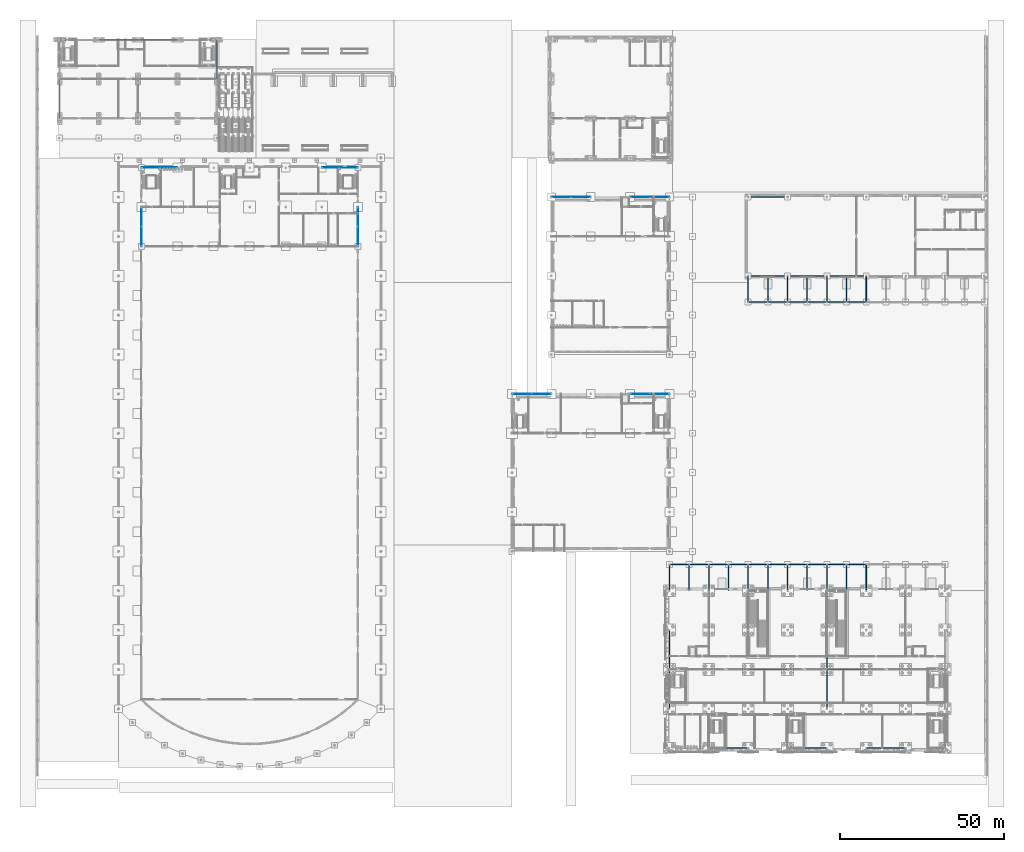
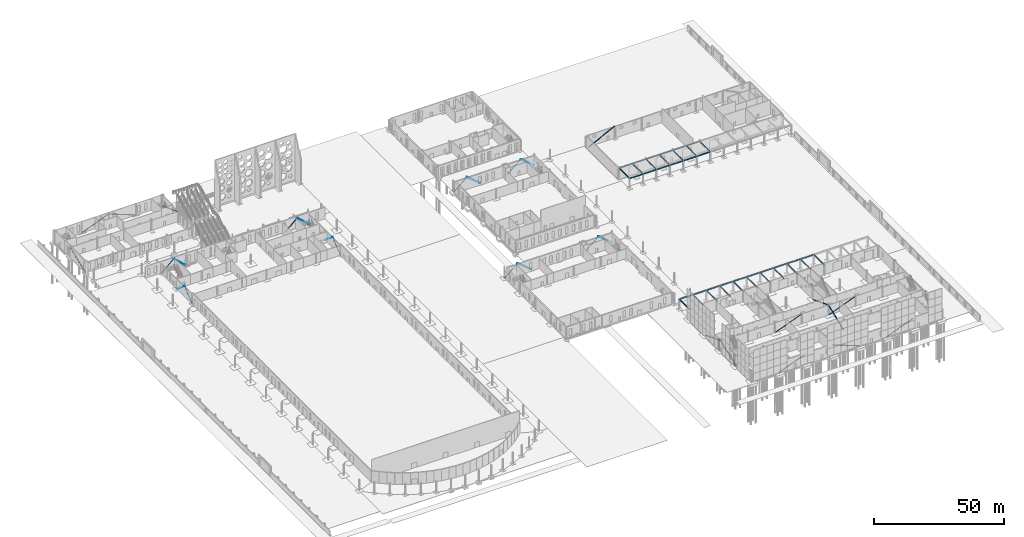
# One storey, part 53 of 132: 37 beams, 30 members.
"""IFC4 building model written with IfcOpenShell, lengths in metres."""

from ifc_helpers import new_model, si_unit, direction, frame, origin, origin_2d, place, context, subcontext, project, spatial, hollow_rectangle, i_section, extrude, material, material_profile, profile_set, type_object, element, save


model = new_model("IFC4")

# Units and contexts
model_context = context("Model", 3, precision=1e-05, world=origin(), true_north=direction((0.0, 1.0)))
body_context = subcontext(model_context, "Body", "Model", "MODEL_VIEW")
ifc_project = project(units=[si_unit("LENGTHUNIT", "METRE"), si_unit("AREAUNIT", "SQUARE_METRE"), si_unit("VOLUMEUNIT", "CUBIC_METRE"), si_unit("PLANEANGLEUNIT", "RADIAN"), si_unit("MASSUNIT", "GRAM", prefix="KILO")], contexts=[model_context])

# Site, building, storey
site_placement = place(None, origin())
site = spatial("IfcSite", under=ifc_project, at=site_placement, CompositionType="ELEMENT")
building_placement = place(site_placement, origin())
building = spatial("IfcBuilding", under=site, at=building_placement, Name="Ravi Spectrum Wholesale Market", CompositionType="ELEMENT")
storey_placement = place(building_placement, origin())
storey = spatial("IfcBuildingStorey", under=building, at=storey_placement, Name="L00", CompositionType="ELEMENT", Elevation=0.0)

# Beams
ifc_material_1 = material(Name="Steel S355", Category="steel")
ifc_material_profile_1 = material_profile(ifc_material_1, i_section(OverallWidth=0.169921875, OverallDepth=0.360107421875, WebThickness=0.008056640625, FlangeThickness=0.0126953125, at=origin_2d()))
ifc_profile_set_1 = profile_set([ifc_material_profile_1], Name="Steel S355")
beam_type = type_object("IfcBeamType", Name="IPE 360 beam", PredefinedType="BEAM", material=ifc_profile_set_1)
beam_1_placement = place(storey_placement, frame((198.0, 66.169921875, 4.800048828125), z_axis=(0.0, 1.0, 0.0), x_axis=(-1.0, 0.0, 0.0)))
element("IfcBeam", 1, at=beam_1_placement, inside=storey, type_object=beam_type, Name="CS-BM-L00-001", PredefinedType="BEAM", context=body_context, shape_type="SweptSolid", body=[
    extrude(i_section(OverallWidth=0.169921875, OverallDepth=0.360107421875, WebThickness=0.008056640625, FlangeThickness=0.0126953125, at=origin_2d()), origin(), (0.0, 0.0, 1.0), 7.65234375),
])
beam_2_placement = place(storey_placement, frame((204.0, 66.10009765625, 4.800048828125), z_axis=(0.0, 1.0, 0.0), x_axis=(-1.0, 0.0, 0.0)))
element("IfcBeam", 2, at=beam_2_placement, inside=storey, type_object=beam_type, Name="CS-BM-L00-002", PredefinedType="BEAM", context=body_context, shape_type="SweptSolid", body=[
    extrude(i_section(OverallWidth=0.169921875, OverallDepth=0.360107421875, WebThickness=0.008056640625, FlangeThickness=0.0126953125, at=origin_2d()), origin(), (0.0, 0.0, 1.0), 7.72216796875),
])
beam_3_placement = place(storey_placement, frame((210.0, 66.169921875, 4.800048828125), z_axis=(0.0, 1.0, 0.0), x_axis=(-1.0, 0.0, 0.0)))
element("IfcBeam", 3, at=beam_3_placement, inside=storey, type_object=beam_type, Name="CS-BM-L00-003", PredefinedType="BEAM", context=body_context, shape_type="SweptSolid", body=[
    extrude(i_section(OverallWidth=0.169921875, OverallDepth=0.360107421875, WebThickness=0.008056640625, FlangeThickness=0.0126953125, at=origin_2d()), origin(), (0.0, 0.0, 1.0), 7.65234375),
])
beam_4_placement = place(storey_placement, frame((216.0, 66.10009765625, 4.800048828125), z_axis=(0.0, 1.0, 0.0), x_axis=(-1.0, 0.0, 0.0)))
element("IfcBeam", 4, at=beam_4_placement, inside=storey, type_object=beam_type, Name="CS-BM-L00-004", PredefinedType="BEAM", context=body_context, shape_type="SweptSolid", body=[
    extrude(i_section(OverallWidth=0.169921875, OverallDepth=0.360107421875, WebThickness=0.008056640625, FlangeThickness=0.0126953125, at=origin_2d()), origin(), (0.0, 0.0, 1.0), 7.72216796875),
])
beam_5_placement = place(storey_placement, frame((222.0, 66.169921875, 4.800048828125), z_axis=(0.0, 1.0, 0.0), x_axis=(-1.0, 0.0, 0.0)))
element("IfcBeam", 5, at=beam_5_placement, inside=storey, type_object=beam_type, Name="CS-BM-L00-005", PredefinedType="BEAM", context=body_context, shape_type="SweptSolid", body=[
    extrude(i_section(OverallWidth=0.169921875, OverallDepth=0.360107421875, WebThickness=0.008056640625, FlangeThickness=0.0126953125, at=origin_2d()), origin(), (0.0, 0.0, 1.0), 7.65234375),
])
beam_6_placement = place(storey_placement, frame((228.0, 66.10009765625, 4.800048828125), z_axis=(0.0, 1.0, 0.0), x_axis=(-1.0, 0.0, 0.0)))
element("IfcBeam", 6, at=beam_6_placement, inside=storey, type_object=beam_type, Name="CS-BM-L00-006", PredefinedType="BEAM", context=body_context, shape_type="SweptSolid", body=[
    extrude(i_section(OverallWidth=0.169921875, OverallDepth=0.360107421875, WebThickness=0.008056640625, FlangeThickness=0.0126953125, at=origin_2d()), origin(), (0.0, 0.0, 1.0), 7.72216796875),
])
beam_7_placement = place(storey_placement, frame((234.0, 66.169921875, 4.800048828125), z_axis=(0.0, 1.0, 0.0), x_axis=(-1.0, 0.0, 0.0)))
element("IfcBeam", 7, at=beam_7_placement, inside=storey, type_object=beam_type, Name="CS-BM-L00-007", PredefinedType="BEAM", context=body_context, shape_type="SweptSolid", body=[
    extrude(i_section(OverallWidth=0.169921875, OverallDepth=0.360107421875, WebThickness=0.008056640625, FlangeThickness=0.0126953125, at=origin_2d()), origin(), (0.0, 0.0, 1.0), 7.65234375),
])
beam_8_placement = place(storey_placement, frame((240.0, 66.10009765625, 4.800048828125), z_axis=(0.0, 1.0, 0.0), x_axis=(-1.0, 0.0, 0.0)))
element("IfcBeam", 8, at=beam_8_placement, inside=storey, type_object=beam_type, Name="CS-BM-L00-008", PredefinedType="BEAM", context=body_context, shape_type="SweptSolid", body=[
    extrude(i_section(OverallWidth=0.169921875, OverallDepth=0.360107421875, WebThickness=0.008056640625, FlangeThickness=0.0126953125, at=origin_2d()), origin(), (0.0, 0.0, 1.0), 7.72216796875),
])
beam_9_placement = place(storey_placement, frame((246.0, 66.169921875, 4.800048828125), z_axis=(0.0, 1.0, 0.0), x_axis=(-1.0, 0.0, 0.0)))
element("IfcBeam", 9, at=beam_9_placement, inside=storey, type_object=beam_type, Name="CS-BM-L00-009", PredefinedType="BEAM", context=body_context, shape_type="SweptSolid", body=[
    extrude(i_section(OverallWidth=0.169921875, OverallDepth=0.360107421875, WebThickness=0.008056640625, FlangeThickness=0.0126953125, at=origin_2d()), origin(), (0.0, 0.0, 1.0), 7.65234375),
])
beam_10_placement = place(storey_placement, frame((252.0, 66.10009765625, 4.800048828125), z_axis=(0.0, 1.0, 0.0), x_axis=(-1.0, 0.0, 0.0)))
element("IfcBeam", 10, at=beam_10_placement, inside=storey, type_object=beam_type, Name="CS-BM-L00-010", PredefinedType="BEAM", context=body_context, shape_type="SweptSolid", body=[
    extrude(i_section(OverallWidth=0.169921875, OverallDepth=0.360107421875, WebThickness=0.008056640625, FlangeThickness=0.0126953125, at=origin_2d()), origin(), (0.0, 0.0, 1.0), 7.72216796875),
])
beam_11_placement = place(storey_placement, frame((258.0, 66.169921875, 4.800048828125), z_axis=(0.0, 1.0, 0.0), x_axis=(-1.0, 0.0, 0.0)))
element("IfcBeam", 11, at=beam_11_placement, inside=storey, type_object=beam_type, Name="CS-BM-L00-011", PredefinedType="BEAM", context=body_context, shape_type="SweptSolid", body=[
    extrude(i_section(OverallWidth=0.169921875, OverallDepth=0.360107421875, WebThickness=0.008056640625, FlangeThickness=0.0126953125, at=origin_2d()), origin(), (0.0, 0.0, 1.0), 7.65234375),
])
for number, where, z_axis, x_axis, name in (
    (12, (198.177734375, 74.0, 4.800048828125), (1.0, 0.0, 0.0), (0.0, 1.0, 0.0), "CS-BM-L00-016"),
    (13, (204.177734375, 74.0, 4.800048828125), (1.0, 0.0, 0.0), (0.0, 1.0, 0.0), "CS-BM-L00-017"),
    (14, (210.177734375, 74.0, 4.800048828125), (1.0, 0.0, 0.0), (0.0, 1.0, 0.0), "CS-BM-L00-018"),
    (15, (216.177734375, 74.0, 4.800048828125), (1.0, 0.0, 0.0), (0.0, 1.0, 0.0), "CS-BM-L00-019"),
    (16, (222.177734375, 74.0, 4.800048828125), (1.0, 0.0, 0.0), (0.0, 1.0, 0.0), "CS-BM-L00-020"),
    (17, (228.177734375, 74.0, 4.800048828125), (1.0, 0.0, 0.0), (0.0, 1.0, 0.0), "CS-BM-L00-021"),
    (18, (234.177734375, 74.0, 4.800048828125), (1.0, 0.0, 0.0), (0.0, 1.0, 0.0), "CS-BM-L00-022"),
    (19, (240.177734375, 74.0, 4.800048828125), (1.0, 0.0, 0.0), (0.0, 1.0, 0.0), "CS-BM-L00-023"),
    (20, (246.177734375, 74.0, 4.800048828125), (1.0, 0.0, 0.0), (0.0, 1.0, 0.0), "CS-BM-L00-024"),
    (21, (252.177734375, 74.0, 4.800048828125), (1.0, 0.0, 0.0), (0.0, 1.0, 0.0), "CS-BM-L00-025"),
):
    element("IfcBeam", number, at=place(storey_placement, frame(where, z_axis=z_axis, x_axis=x_axis)), inside=storey, type_object=beam_type, Name=name, PredefinedType="BEAM", context=body_context, shape_type="SweptSolid", body=[
        extrude(i_section(OverallWidth=0.169921875, OverallDepth=0.360107421875, WebThickness=0.008056640625, FlangeThickness=0.0126953125, at=origin_2d()), origin(), (0.0, 0.0, 1.0), 5.64453125),
    ])
for number, where, z_axis, x_axis, name in (
    (22, (222.14990234375, 162.0, 4.800048828125), (1.0, 0.0, 0.0), (0.0, 1.0, 0.0), "GS-BM-L00-001"),
    (23, (234.14990234375, 162.0, 4.800048828125), (1.0, 0.0, 0.0), (0.0, 1.0, 0.0), "GS-BM-L00-002"),
    (24, (246.14990234375, 162.0, 4.800048828125), (1.0, 0.0, 0.0), (0.0, 1.0, 0.0), "GS-BM-L00-003"),
):
    element("IfcBeam", number, at=place(storey_placement, frame(where, z_axis=z_axis, x_axis=x_axis)), inside=storey, type_object=beam_type, Name=name, PredefinedType="BEAM", context=body_context, shape_type="SweptSolid", body=[
        extrude(i_section(OverallWidth=0.169921875, OverallDepth=0.360107421875, WebThickness=0.008056640625, FlangeThickness=0.0126953125, at=origin_2d()), origin(), (0.0, 0.0, 1.0), 11.7001953125),
    ])
beam_12_placement = place(storey_placement, frame((222.0, 161.800048828125, 4.800048828125), z_axis=(0.0, -1.0, 0.0), x_axis=(1.0, 0.0, 0.0)))
element("IfcBeam", 25, at=beam_12_placement, inside=storey, type_object=beam_type, Name="GS-BM-L00-007", PredefinedType="BEAM", context=body_context, shape_type="SweptSolid", body=[
    extrude(i_section(OverallWidth=0.169921875, OverallDepth=0.360107421875, WebThickness=0.008056640625, FlangeThickness=0.0126953125, at=origin_2d()), origin(), (0.0, 0.0, 1.0), 7.622314453125),
])
beam_13_placement = place(storey_placement, frame((228.0, 161.9150390625, 4.800048828125), z_axis=(0.0, -1.0, 0.0), x_axis=(1.0, 0.0, 0.0)))
element("IfcBeam", 26, at=beam_13_placement, inside=storey, type_object=beam_type, Name="GS-BM-L00-008", PredefinedType="BEAM", context=body_context, shape_type="SweptSolid", body=[
    extrude(i_section(OverallWidth=0.169921875, OverallDepth=0.360107421875, WebThickness=0.008056640625, FlangeThickness=0.0126953125, at=origin_2d()), origin(), (0.0, 0.0, 1.0), 7.7373046875),
])
beam_14_placement = place(storey_placement, frame((234.0, 161.800048828125, 4.800048828125), z_axis=(0.0, -1.0, 0.0), x_axis=(1.0, 0.0, 0.0)))
element("IfcBeam", 27, at=beam_14_placement, inside=storey, type_object=beam_type, Name="GS-BM-L00-009", PredefinedType="BEAM", context=body_context, shape_type="SweptSolid", body=[
    extrude(i_section(OverallWidth=0.169921875, OverallDepth=0.360107421875, WebThickness=0.008056640625, FlangeThickness=0.0126953125, at=origin_2d()), origin(), (0.0, 0.0, 1.0), 7.622314453125),
])
beam_15_placement = place(storey_placement, frame((240.0, 161.9150390625, 4.800048828125), z_axis=(0.0, -1.0, 0.0), x_axis=(1.0, 0.0, 0.0)))
element("IfcBeam", 28, at=beam_15_placement, inside=storey, type_object=beam_type, Name="GS-BM-L00-010", PredefinedType="BEAM", context=body_context, shape_type="SweptSolid", body=[
    extrude(i_section(OverallWidth=0.169921875, OverallDepth=0.360107421875, WebThickness=0.008056640625, FlangeThickness=0.0126953125, at=origin_2d()), origin(), (0.0, 0.0, 1.0), 7.7373046875),
])
beam_16_placement = place(storey_placement, frame((246.0, 161.800048828125, 4.800048828125), z_axis=(0.0, -1.0, 0.0), x_axis=(1.0, 0.0, 0.0)))
element("IfcBeam", 29, at=beam_16_placement, inside=storey, type_object=beam_type, Name="GS-BM-L00-011", PredefinedType="BEAM", context=body_context, shape_type="SweptSolid", body=[
    extrude(i_section(OverallWidth=0.169921875, OverallDepth=0.360107421875, WebThickness=0.008056640625, FlangeThickness=0.0126953125, at=origin_2d()), origin(), (0.0, 0.0, 1.0), 7.622314453125),
])
beam_17_placement = place(storey_placement, frame((252.0, 161.9150390625, 4.800048828125), z_axis=(0.0, -1.0, 0.0), x_axis=(1.0, 0.0, 0.0)))
element("IfcBeam", 30, at=beam_17_placement, inside=storey, type_object=beam_type, Name="GS-BM-L00-012", PredefinedType="BEAM", context=body_context, shape_type="SweptSolid", body=[
    extrude(i_section(OverallWidth=0.169921875, OverallDepth=0.360107421875, WebThickness=0.008056640625, FlangeThickness=0.0126953125, at=origin_2d()), origin(), (0.0, 0.0, 1.0), 7.7373046875),
])
beam_18_placement = place(storey_placement, frame((258.0, 161.800048828125, 4.800048828125), z_axis=(0.0, -1.0, 0.0), x_axis=(1.0, 0.0, 0.0)))
element("IfcBeam", 31, at=beam_18_placement, inside=storey, type_object=beam_type, Name="GS-BM-L00-013", PredefinedType="BEAM", context=body_context, shape_type="SweptSolid", body=[
    extrude(i_section(OverallWidth=0.169921875, OverallDepth=0.360107421875, WebThickness=0.008056640625, FlangeThickness=0.0126953125, at=origin_2d()), origin(), (0.0, 0.0, 1.0), 7.622314453125),
])
for number, where, z_axis, x_axis, name in (
    (32, (222.177734375, 154.0, 4.800048828125), (1.0, 0.0, 0.0), (0.0, 1.0, 0.0), "GS-BM-L00-020"),
    (33, (228.177734375, 154.0, 4.800048828125), (1.0, 0.0, 0.0), (0.0, 1.0, 0.0), "GS-BM-L00-021"),
    (34, (234.177734375, 154.0, 4.800048828125), (1.0, 0.0, 0.0), (0.0, 1.0, 0.0), "GS-BM-L00-022"),
    (35, (240.177734375, 154.0, 4.800048828125), (1.0, 0.0, 0.0), (0.0, 1.0, 0.0), "GS-BM-L00-023"),
    (36, (246.177734375, 154.0, 4.800048828125), (1.0, 0.0, 0.0), (0.0, 1.0, 0.0), "GS-BM-L00-024"),
    (37, (252.177734375, 154.0, 4.800048828125), (1.0, 0.0, 0.0), (0.0, 1.0, 0.0), "GS-BM-L00-025"),
):
    element("IfcBeam", number, at=place(storey_placement, frame(where, z_axis=z_axis, x_axis=x_axis)), inside=storey, type_object=beam_type, Name=name, PredefinedType="BEAM", context=body_context, shape_type="SweptSolid", body=[
        extrude(i_section(OverallWidth=0.169921875, OverallDepth=0.360107421875, WebThickness=0.008056640625, FlangeThickness=0.0126953125, at=origin_2d()), origin(), (0.0, 0.0, 1.0), 5.64453125),
    ])

# Members
ifc_material_2 = material(Name="Steel S355", Category="steel")
ifc_material_profile_2 = material_profile(ifc_material_2, hollow_rectangle(XDim=0.14990234375, YDim=0.14990234375, WallThickness=0.00634765625, InnerFilletRadius=0.00634765625, OuterFilletRadius=0.0126953125, at=origin_2d()))
ifc_profile_set_2 = profile_set([ifc_material_profile_2], Name="Steel S355")
member_type_1 = type_object("IfcMemberType", Name="SHS 150x150x6.3 brace", PredefinedType="BRACE", material=ifc_profile_set_2)
for number, where, z_axis, x_axis, name in (
    (38, (37.14990234375, 195.0, 0.055908203125), (0.741299319085, 0.0, 0.671174582001), (0.0, 1.0, 0.0), "H1-MB-L00-001"),
    (39, (47.85009765625, 195.0, 0.055908203125), (-0.741299319085, 0.0, 0.671174582001), (0.0, -1.0, 0.0), "H1-MB-L00-002"),
    (40, (92.14990234375, 195.0, 0.055908203125), (0.741299319085, 0.0, 0.671174582001), (0.0, 1.0, 0.0), "H1-MB-L00-003"),
    (41, (102.85009765625, 195.0, 0.055908203125), (-0.741299319085, 0.0, 0.671174582001), (0.0, -1.0, 0.0), "H1-MB-L00-004"),
):
    element("IfcMember", number, at=place(storey_placement, frame(where, z_axis=z_axis, x_axis=x_axis)), inside=storey, type_object=member_type_1, Name=name, PredefinedType="BRACE", context=body_context, shape_type="SweptSolid", body=[
        extrude(hollow_rectangle(XDim=0.14990234375, YDim=0.14990234375, WallThickness=0.00634765625, InnerFilletRadius=0.00634765625, OuterFilletRadius=0.0126953125, at=origin_2d()), origin(), (0.0, 0.0, 1.0), 7.21728515625),
    ])
for number, where, z_axis, x_axis, name in (
    (42, (37.0, 171.14990234375, 0.05810546875), (0.0, 0.77037253961, 0.637594032449), (-1.0, 0.0, 0.0), "H1-MB-L00-005"),
    (43, (37.0, 182.85009765625, 0.05810546875), (0.0, -0.77037253961, 0.637594032449), (1.0, 0.0, 0.0), "H1-MB-L00-006"),
    (44, (103.0, 171.14990234375, 0.05810546875), (0.0, 0.77037253961, 0.637594032449), (-1.0, 0.0, 0.0), "H1-MB-L00-007"),
    (45, (103.0, 182.85009765625, 0.05810546875), (0.0, -0.77037253961, 0.637594032449), (1.0, 0.0, 0.0), "H1-MB-L00-008"),
    (46, (150.14990234375, 126.0, 0.05810546875), (0.77037253961, 0.0, 0.637594032449), (0.0, 1.0, 0.0), "H2-MB-L00-001"),
    (47, (161.85009765625, 126.0, 0.05810546875), (-0.77037253961, 0.0, 0.637594032449), (0.0, -1.0, 0.0), "H2-MB-L00-002"),
    (48, (186.14990234375, 126.0, 0.05810546875), (0.77037253961, 0.0, 0.637594032449), (0.0, 1.0, 0.0), "H2-MB-L00-003"),
    (49, (197.85009765625, 126.0, 0.05810546875), (-0.77037253961, 0.0, 0.637594032449), (0.0, -1.0, 0.0), "H2-MB-L00-004"),
    (50, (162.14990234375, 186.0, 0.05810546875), (0.77037253961, 0.0, 0.637594032449), (0.0, 1.0, 0.0), "H3-MB-L00-001"),
    (51, (173.85009765625, 186.0, 0.05810546875), (-0.77037253961, 0.0, 0.637594032449), (0.0, -1.0, 0.0), "H3-MB-L00-002"),
    (52, (186.14990234375, 186.0, 0.05810546875), (0.77037253961, 0.0, 0.637594032449), (0.0, 1.0, 0.0), "H3-MB-L00-003"),
    (53, (197.85009765625, 186.0, 0.05810546875), (-0.77037253961, 0.0, 0.637594032449), (0.0, -1.0, 0.0), "H3-MB-L00-004"),
):
    element("IfcMember", number, at=place(storey_placement, frame(where, z_axis=z_axis, x_axis=x_axis)), inside=storey, type_object=member_type_1, Name=name, PredefinedType="BRACE", context=body_context, shape_type="SweptSolid", body=[
        extrude(hollow_rectangle(XDim=0.14990234375, YDim=0.14990234375, WallThickness=0.00634765625, InnerFilletRadius=0.00634765625, OuterFilletRadius=0.0126953125, at=origin_2d()), origin(), (0.0, 0.0, 1.0), 7.59375),
    ])
ifc_material_3 = material(Name="Steel S355", Category="steel")
ifc_material_profile_3 = material_profile(ifc_material_3, hollow_rectangle(XDim=0.199951171875, YDim=0.199951171875, WallThickness=0.008056640625, InnerFilletRadius=0.008056640625, OuterFilletRadius=0.01611328125, at=origin_2d()))
ifc_profile_set_3 = profile_set([ifc_material_profile_3], Name="Steel S355")
member_type_2 = type_object("IfcMemberType", Name="SHS 200x200x8 brace", PredefinedType="BRACE", material=ifc_profile_set_3)
for number, where, z_axis, x_axis, name in (
    (54, (210.185791015625, 18.0, 0.09326171875), (0.933589895523, 0.0, 0.358343280915), (0.0, 1.0, 0.0), "CS-MB-L00-001"),
    (55, (234.185791015625, 18.0, 4.556640625), (0.933589895523, 0.0, -0.358343280915), (0.0, 1.0, 0.0), "CS-MB-L00-002"),
    (56, (258.185791015625, 18.0, 0.09326171875), (0.933589895523, 0.0, 0.358343280915), (0.0, 1.0, 0.0), "CS-MB-L00-003"),
    (57, (222.185791015625, 42.0, 0.09326171875), (0.933589895523, 0.0, 0.358343280915), (0.0, 1.0, 0.0), "CS-MB-L00-004"),
    (58, (246.185791015625, 42.0, 0.09326171875), (0.933589895523, 0.0, 0.358343280915), (0.0, 1.0, 0.0), "CS-MB-L00-006"),
):
    element("IfcMember", number, at=place(storey_placement, frame(where, z_axis=z_axis, x_axis=x_axis)), inside=storey, type_object=member_type_2, Name=name, PredefinedType="BRACE", context=body_context, shape_type="SweptSolid", body=[
        extrude(hollow_rectangle(XDim=0.199951171875, YDim=0.199951171875, WallThickness=0.008056640625, InnerFilletRadius=0.008056640625, OuterFilletRadius=0.01611328125, at=origin_2d()), origin(), (0.0, 0.0, 1.0), 12.45556640625),
    ])
for number, where, z_axis, x_axis, name in (
    (59, (198.0, 30.206298828125, 0.09326171875), (0.0, 0.931801883882, 0.362967283916), (-1.0, 0.0, 0.0), "CS-MB-L00-007"),
    (60, (198.0, 42.206298828125, 4.60693359375), (0.0, 0.931801883882, -0.362967283916), (-1.0, 0.0, 0.0), "CS-MB-L00-008"),
):
    element("IfcMember", number, at=place(storey_placement, frame(where, z_axis=z_axis, x_axis=x_axis)), inside=storey, type_object=member_type_2, Name=name, PredefinedType="BRACE", context=body_context, shape_type="SweptSolid", body=[
        extrude(hollow_rectangle(XDim=0.199951171875, YDim=0.199951171875, WallThickness=0.008056640625, InnerFilletRadius=0.008056640625, OuterFilletRadius=0.01611328125, at=origin_2d()), origin(), (0.0, 0.0, 1.0), 12.435546875),
    ])
for number, where, z_axis, x_axis, name in (
    (61, (246.0, 30.236572265625, 0.093017578125), (0.0, 0.931149344946, 0.364638036148), (-1.0, 0.0, 0.0), "CS-MB-L00-009"),
    (62, (246.0, 42.236572265625, 4.60693359375), (0.0, 0.931149344946, -0.364638036148), (-1.0, 0.0, 0.0), "CS-MB-L00-010"),
):
    element("IfcMember", number, at=place(storey_placement, frame(where, z_axis=z_axis, x_axis=x_axis)), inside=storey, type_object=member_type_2, Name=name, PredefinedType="BRACE", context=body_context, shape_type="SweptSolid", body=[
        extrude(hollow_rectangle(XDim=0.199951171875, YDim=0.199951171875, WallThickness=0.008056640625, InnerFilletRadius=0.008056640625, OuterFilletRadius=0.01611328125, at=origin_2d()), origin(), (0.0, 0.0, 1.0), 12.379150390625),
    ])
for number, where, z_axis, x_axis, name in (
    (63, (24.185791015625, 234.0, 0.09326171875), (0.933589895523, 0.0, 0.358343280915), (0.0, 1.0, 0.0), "OF-MB-L00-001"),
    (64, (36.185791015625, 234.0, 4.556640625), (0.933589895523, 0.0, -0.358343280915), (0.0, 1.0, 0.0), "OF-MB-L00-002"),
):
    element("IfcMember", number, at=place(storey_placement, frame(where, z_axis=z_axis, x_axis=x_axis)), inside=storey, type_object=member_type_2, Name=name, PredefinedType="BRACE", context=body_context, shape_type="SweptSolid", body=[
        extrude(hollow_rectangle(XDim=0.199951171875, YDim=0.199951171875, WallThickness=0.008056640625, InnerFilletRadius=0.008056640625, OuterFilletRadius=0.01611328125, at=origin_2d()), origin(), (0.0, 0.0, 1.0), 12.45556640625),
    ])
for number, where, z_axis, x_axis, name in (
    (65, (12.0, 210.186279296875, 0.09326171875), (0.0, 0.93223077151, 0.36186432354), (-1.0, 0.0, 0.0), "OF-MB-L00-003"),
    (66, (60.0, 222.186279296875, 4.606689453125), (0.0, 0.93223077151, -0.36186432354), (-1.0, 0.0, 0.0), "OF-MB-L00-004"),
):
    element("IfcMember", number, at=place(storey_placement, frame(where, z_axis=z_axis, x_axis=x_axis)), inside=storey, type_object=member_type_2, Name=name, PredefinedType="BRACE", context=body_context, shape_type="SweptSolid", body=[
        extrude(hollow_rectangle(XDim=0.199951171875, YDim=0.199951171875, WallThickness=0.008056640625, InnerFilletRadius=0.008056640625, OuterFilletRadius=0.01611328125, at=origin_2d()), origin(), (0.0, 0.0, 1.0), 12.47265625),
    ])
member_placement = place(storey_placement, frame((222.194580078125, 186.0, 0.089599609375), z_axis=(0.895584196921, 0.0, 0.44489206132), x_axis=(0.0, 1.0, 0.0)))
element("IfcMember", 67, at=member_placement, inside=storey, type_object=member_type_2, Name="GS-MB-L00-003", PredefinedType="BRACE", context=body_context, shape_type="SweptSolid", body=[
    extrude(hollow_rectangle(XDim=0.199951171875, YDim=0.199951171875, WallThickness=0.008056640625, InnerFilletRadius=0.008056640625, OuterFilletRadius=0.01611328125, at=origin_2d()), origin(), (0.0, 0.0, 1.0), 12.964599609375),
])

save(model, "model.ifc")
